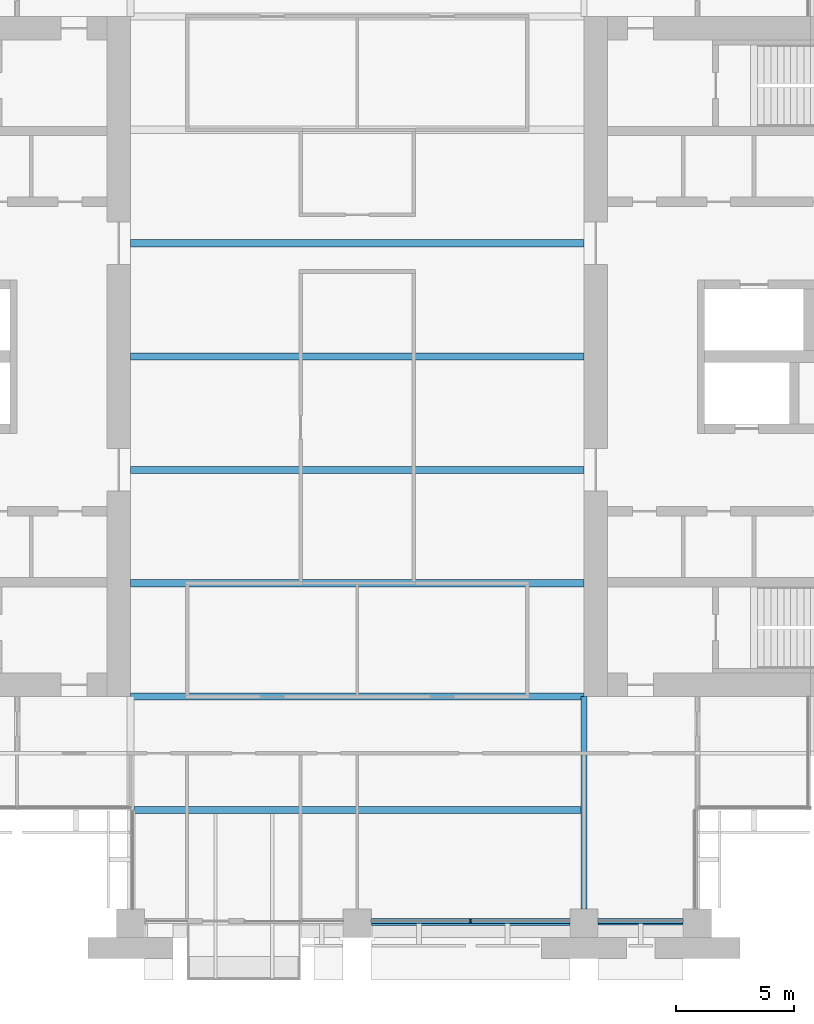
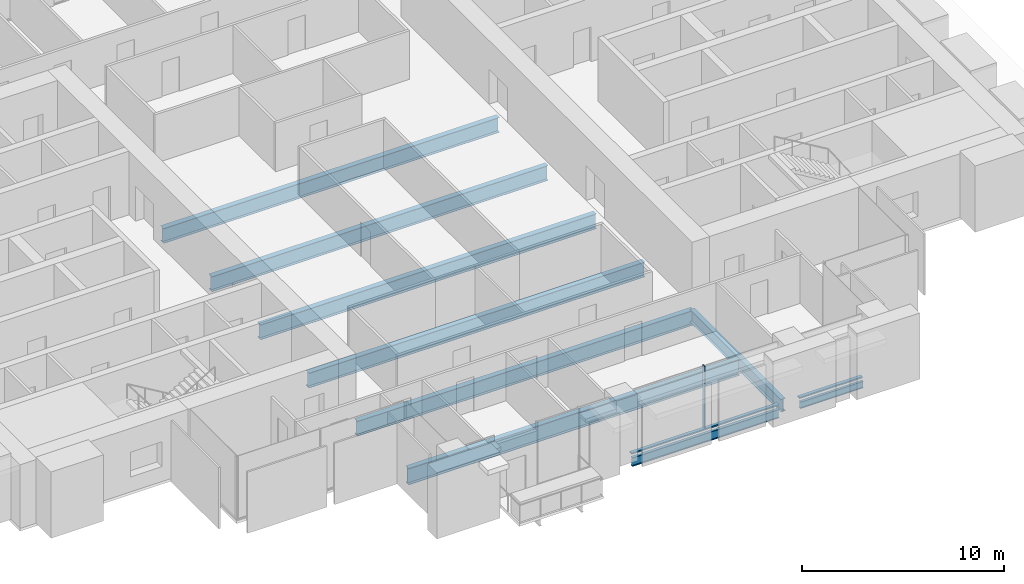
# One storey, part 3 of 15: 9 beams, 3 members, 1 element without a shape of its own.
"""IFC4 building model written with IfcOpenShell, lengths in metres."""

from ifc_helpers import new_model, si_unit, direction, frame, origin, origin_2d, place, context, subcontext, project, spatial, rectangle, i_section, extrude, material, material_profile, profile_set, type_object, element, aggregate, save


model = new_model("IFC4")

# Units and contexts
model_context = context("Model", 3, precision=1e-05, world=origin(), true_north=direction((0.0, 1.0)))
body_context = subcontext(model_context, "Body", "Model", "MODEL_VIEW")
ifc_project = project(units=[si_unit("LENGTHUNIT", "METRE"), si_unit("AREAUNIT", "SQUARE_METRE"), si_unit("VOLUMEUNIT", "CUBIC_METRE"), si_unit("PLANEANGLEUNIT", "RADIAN"), si_unit("MASSUNIT", "GRAM", prefix="KILO")], contexts=[model_context])

# Site, building, storey
site_placement = place(None, origin())
site = spatial("IfcSite", under=ifc_project, at=site_placement, CompositionType="ELEMENT")
building_placement = place(site_placement, origin())
building = spatial("IfcBuilding", under=site, at=building_placement, Name="Baori Bourse Tower", CompositionType="ELEMENT")
storey_placement = place(building_placement, frame((0.0, 0.0, 152.10009765625)))
storey = spatial("IfcBuildingStorey", under=building, at=storey_placement, Name="L33", CompositionType="ELEMENT", Elevation=152.10009765625)

# Curtain wall, members
ifc_material_1 = material(Name="Pale anodised aluminium", Category="aluminium")
curtain_wall_type = type_object("IfcCurtainWallType", Name="CW1 Curtain wall", PredefinedType="NOTDEFINED", material=ifc_material_1)
curtain_wall_placement = place(storey_placement, origin())
curtain_wall = element("IfcCurtainWall", 1, at=curtain_wall_placement, inside=storey, type_object=curtain_wall_type, Name="Curtain wall CW1 L33 15", PredefinedType="NOTDEFINED")
ifc_material_2 = material(Name="Pale anodised aluminium", Category="aluminium")
ifc_material_profile_1 = material_profile(ifc_material_2, rectangle(XDim=0.199951171875, YDim=0.06005859375, at=origin_2d()), Name="Mullion 60x200")
ifc_profile_set_1 = profile_set([ifc_material_profile_1], Name="Pale anodised aluminium")
member_type_1 = type_object("IfcMemberType", Name="CW1 Curtain wall mullion", PredefinedType="MULLION", material=ifc_profile_set_1)
member_1_placement = place(storey_placement, frame((33.60009765625, 0.10009765625, 0.079833984375), z_axis=(0.0, 0.0, 1.0), x_axis=(0.0, 1.0, 0.0)))
member_1 = element("IfcMember", 2, at=member_1_placement, type_object=member_type_1, Name="Curtain wall CW1 mullion", PredefinedType="MULLION", context=body_context, shape_type="SweptSolid", body=[
    extrude(rectangle(XDim=0.199951171875, YDim=0.06005859375, at=origin_2d()), origin(), (0.0, 0.0, 1.0), 3.760009765625),
])
ifc_material_3 = material(Name="Pale anodised aluminium", Category="aluminium")
ifc_material_profile_2 = material_profile(ifc_material_3, rectangle(XDim=0.199951171875, YDim=0.080078125, at=origin_2d()), Name="Transom 80x200")
ifc_profile_set_2 = profile_set([ifc_material_profile_2], Name="Pale anodised aluminium")
member_type_2 = type_object("IfcMemberType", Name="CW1 Curtain wall transom", PredefinedType="USERDEFINED", material=ifc_profile_set_2)
member_2_placement = place(storey_placement, frame((29.39990234375, 0.10009765625, 0.039794921875), z_axis=(1.0, 0.0, 0.0), x_axis=(0.0, 1.0, 0.0)))
member_2 = element("IfcMember", 3, at=member_2_placement, type_object=member_type_2, Name="Curtain wall CW1 sill rail", ObjectType="TRANSOM", PredefinedType="USERDEFINED", context=body_context, shape_type="SweptSolid", body=[
    extrude(rectangle(XDim=0.199951171875, YDim=0.080078125, at=origin_2d()), origin(), (0.0, 0.0, 1.0), 8.400146484375),
])
member_3_placement = place(storey_placement, frame((39.0, 0.10009765625, 0.039794921875), z_axis=(1.0, 0.0, 0.0), x_axis=(0.0, 1.0, 0.0)))
member_3 = element("IfcMember", 4, at=member_3_placement, type_object=member_type_2, Name="Curtain wall CW1 sill rail", ObjectType="TRANSOM", PredefinedType="USERDEFINED", context=body_context, shape_type="SweptSolid", body=[
    extrude(rectangle(XDim=0.199951171875, YDim=0.080078125, at=origin_2d()), origin(), (0.0, 0.0, 1.0), 3.60009765625),
])
aggregate(curtain_wall, [member_2, member_1, member_3])

# Beams
ifc_material_4 = material(Name="Steel A992 Gr 50", Category="steel")
ifc_material_profile_3 = material_profile(ifc_material_4, i_section(OverallWidth=0.140380859375, OverallDepth=0.40380859375, WebThickness=0.007080078125, FlangeThickness=0.01123046875, at=origin_2d()), Name="W16x31")
ifc_profile_set_3 = profile_set([ifc_material_profile_3], Name="Steel A992 Gr 50")
beam_type_1 = type_object("IfcBeamType", Name="Edge beam W16x31", PredefinedType="BEAM", material=ifc_profile_set_3)
beam_1_placement = place(storey_placement, frame((39.0, 0.0, -0.362060546875), z_axis=(1.0, 0.0, 0.0), x_axis=(0.0, 1.0, 0.0)))
element("IfcBeam", 5, at=beam_1_placement, inside=storey, type_object=beam_type_1, Name="Edge beam L33", PredefinedType="BEAM", context=body_context, shape_type="SweptSolid", body=[
    extrude(i_section(OverallWidth=0.140380859375, OverallDepth=0.40380859375, WebThickness=0.007080078125, FlangeThickness=0.01123046875, at=origin_2d()), origin(), (0.0, 0.0, 1.0), 3.60009765625),
])
ifc_material_5 = material(Name="Steel A992 Gr 50", Category="steel")
ifc_material_profile_4 = material_profile(ifc_material_5, i_section(OverallWidth=0.1650390625, OverallDepth=0.52587890625, WebThickness=0.0087890625, FlangeThickness=0.011474609375, at=origin_2d()), Name="W21x44")
ifc_profile_set_4 = profile_set([ifc_material_profile_4], Name="Steel A992 Gr 50")
beam_type_2 = type_object("IfcBeamType", Name="Edge beam W21x44", PredefinedType="BEAM", material=ifc_profile_set_4)
beam_2_placement = place(storey_placement, frame((29.39990234375, 0.0, -0.423095703125), z_axis=(1.0, 0.0, 0.0), x_axis=(0.0, 1.0, 0.0)))
element("IfcBeam", 6, at=beam_2_placement, inside=storey, type_object=beam_type_2, Name="Edge beam L33", PredefinedType="BEAM", context=body_context, shape_type="SweptSolid", body=[
    extrude(i_section(OverallWidth=0.1650390625, OverallDepth=0.52587890625, WebThickness=0.0087890625, FlangeThickness=0.011474609375, at=origin_2d()), origin(), (0.0, 0.0, 1.0), 8.400146484375),
])
ifc_material_6 = material(Name="Steel A992 Gr 50", Category="steel")
ifc_material_profile_5 = material_profile(ifc_material_6, i_section(OverallWidth=0.3046875, OverallDepth=0.904296875, WebThickness=0.01513671875, FlangeThickness=0.02001953125, at=origin_2d()), Name="W36x135")
ifc_profile_set_5 = profile_set([ifc_material_profile_5], Name="Steel A992 Gr 50")
beam_type_3 = type_object("IfcBeamType", Name="Floor beam W36x135", PredefinedType="BEAM", material=ifc_profile_set_5)
for number, where, z_axis, x_axis, name in (
    (7, (19.199951171875, 9.60009765625, -0.6123046875), (1.0, 0.0, 0.0), (0.0, 1.0, 0.0), "Floor beam L33"),
    (8, (19.199951171875, 14.39990234375, -0.6123046875), (1.0, 0.0, 0.0), (0.0, 1.0, 0.0), "Floor beam L33"),
    (9, (19.199951171875, 19.199951171875, -0.6123046875), (1.0, 0.0, 0.0), (0.0, 1.0, 0.0), "Floor beam L33"),
    (10, (19.199951171875, 24.0, -0.6123046875), (1.0, 0.0, 0.0), (0.0, 1.0, 0.0), "Floor beam L33"),
    (11, (19.199951171875, 28.800048828125, -0.6123046875), (1.0, 0.0, 0.0), (0.0, 1.0, 0.0), "Floor beam L33"),
):
    element("IfcBeam", number, at=place(storey_placement, frame(where, z_axis=z_axis, x_axis=x_axis)), inside=storey, type_object=beam_type_3, Name=name, PredefinedType="BEAM", context=body_context, shape_type="SweptSolid", body=[
        extrude(i_section(OverallWidth=0.3046875, OverallDepth=0.904296875, WebThickness=0.01513671875, FlangeThickness=0.02001953125, at=origin_2d()), origin(), (0.0, 0.0, 1.0), 19.199951171875),
    ])
ifc_material_7 = material(Name="Steel A992 Gr 50", Category="steel")
ifc_material_profile_6 = material_profile(ifc_material_7, i_section(OverallWidth=0.2998046875, OverallDepth=0.990478515625, WebThickness=0.0166015625, FlangeThickness=0.030517578125, at=origin_2d()), Name="W40x183")
ifc_profile_set_6 = profile_set([ifc_material_profile_6], Name="Steel A992 Gr 50")
beam_type_4 = type_object("IfcBeamType", Name="Floor beam W40x183", PredefinedType="BEAM", material=ifc_profile_set_6)
beam_3_placement = place(storey_placement, frame((19.352294921875, 4.800048828125, -0.655517578125), z_axis=(1.0, 0.0, 0.0), x_axis=(0.0, 1.0, 0.0)))
element("IfcBeam", 12, at=beam_3_placement, inside=storey, type_object=beam_type_4, Name="Floor beam L33", PredefinedType="BEAM", context=body_context, shape_type="SweptSolid", body=[
    extrude(i_section(OverallWidth=0.2998046875, OverallDepth=0.990478515625, WebThickness=0.0166015625, FlangeThickness=0.030517578125, at=origin_2d()), origin(), (0.0, 0.0, 1.0), 18.914306640625),
])
ifc_material_8 = material(Name="Steel A992 Gr 50", Category="steel")
ifc_material_profile_7 = material_profile(ifc_material_8, i_section(OverallWidth=0.2666015625, OverallDepth=0.7568359375, WebThickness=0.013916015625, FlangeThickness=0.019287109375, at=origin_2d()), Name="W30x108")
ifc_profile_set_7 = profile_set([ifc_material_profile_7], Name="Steel A992 Gr 50")
beam_type_5 = type_object("IfcBeamType", Name="Girder W30x108", PredefinedType="BEAM", material=ifc_profile_set_7)
beam_4_placement = place(storey_placement, frame((38.39990234375, 0.60009765625, -0.53857421875), z_axis=(0.0, 1.0, 0.0), x_axis=(-1.0, 0.0, 0.0)))
element("IfcBeam", 13, at=beam_4_placement, inside=storey, type_object=beam_type_5, Name="Girder L33", PredefinedType="BEAM", context=body_context, shape_type="SweptSolid", body=[
    extrude(i_section(OverallWidth=0.2666015625, OverallDepth=0.7568359375, WebThickness=0.013916015625, FlangeThickness=0.019287109375, at=origin_2d()), origin(), (0.0, 0.0, 1.0), 9.0),
])

save(model, "model.ifc")
